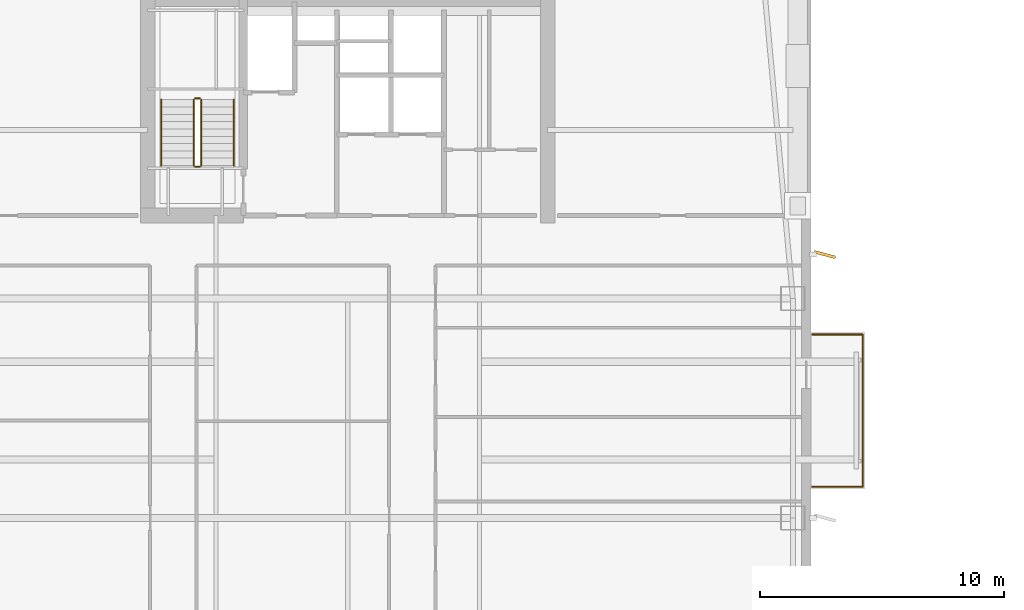
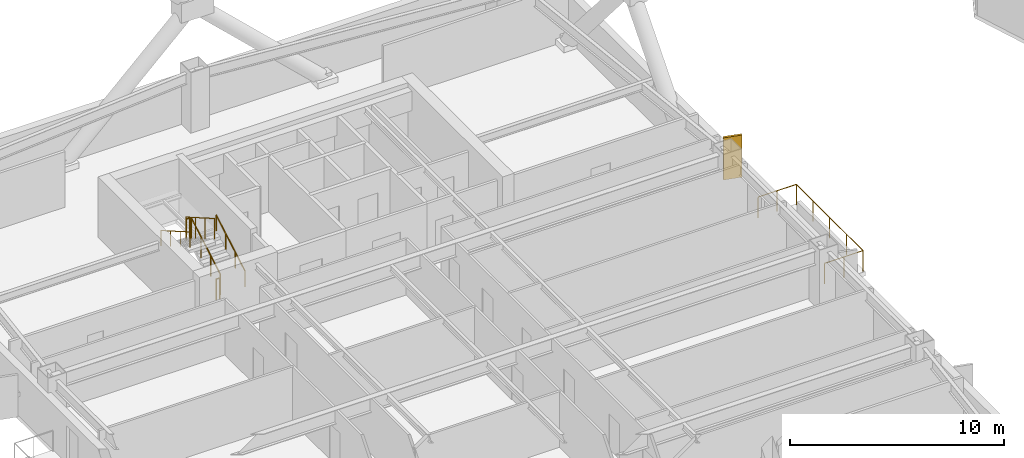
# One storey, part 22 of 24: 7 railings, 1 shading device.
"""IFC4 building model written with IfcOpenShell, lengths in metres."""

from ifc_helpers import new_model, si_unit, direction, frame, origin, origin_2d, place, context, subcontext, project, spatial, rectangle, circle, extrude, material, layer, layer_set, type_object, element, save


model = new_model("IFC4")

# Units and contexts
model_context = context("Model", 3, precision=1e-05, world=origin(), true_north=direction((0.0, 1.0)))
body_context = subcontext(model_context, "Body", "Model", "MODEL_VIEW")
ifc_project = project(units=[si_unit("LENGTHUNIT", "METRE"), si_unit("AREAUNIT", "SQUARE_METRE"), si_unit("VOLUMEUNIT", "CUBIC_METRE"), si_unit("PLANEANGLEUNIT", "RADIAN"), si_unit("MASSUNIT", "GRAM", prefix="KILO")], contexts=[model_context])

# Site, building, storey
site_placement = place(None, origin())
site = spatial("IfcSite", under=ifc_project, at=site_placement, CompositionType="ELEMENT")
building_placement = place(site_placement, origin())
building = spatial("IfcBuilding", under=site, at=building_placement, Name="Qiaolan Cultural Towers", CompositionType="ELEMENT")
storey_placement = place(building_placement, frame((0.0, 0.0, 120.75)))
storey = spatial("IfcBuildingStorey", under=building, at=storey_placement, Name="L31", CompositionType="ELEMENT", Elevation=120.75)

# Railings
ifc_material_1 = material(Name="Laminated SentryGlas & Stainless Steel S31608 Balustrade", Category="steel")
railing_type_1 = type_object("IfcRailingType", Name="GRD-TERR-1200", PredefinedType="BALUSTRADE", material=ifc_material_1)
railing_1_placement = place(storey_placement, frame((49.050048828125, 35.280029296875, 0.0)))
element("IfcRailing", 1, at=railing_1_placement, inside=storey, type_object=railing_type_1, Name="L31 T1 Tree Balcony Guardrail E", PredefinedType="BALUSTRADE", context=body_context, shape_type="SweptSolid", body=[
    extrude(circle(Radius=0.02392578125, at=origin_2d()), frame((0.0, 0.0, 1.17578125), z_axis=(1.0, 0.0, 0.0), x_axis=(0.0, 1.0, 0.0)), (0.0, 0.0, 1.0), 2.070068359375),
    extrude(circle(Radius=0.02392578125, at=origin_2d()), frame((2.070068359375, 0.0, 1.17578125), z_axis=(0.0, 1.0, 0.0), x_axis=(-1.0, 0.0, 0.0)), (0.0, 0.0, 1.0), 6.239990234375),
    extrude(circle(Radius=0.02392578125, at=origin_2d()), frame((2.070068359375, 6.239990234375, 1.17578125), z_axis=(-1.0, 0.0, 0.0), x_axis=(0.0, -1.0, 0.0)), (0.0, 0.0, 1.0), 2.070068359375),
    extrude(circle(Radius=0.02099609375, at=origin_2d()), origin(), (0.0, 0.0, 1.0), 1.15185546875),
    extrude(circle(Radius=0.02099609375, at=origin_2d()), frame((1.03515625, 0.0, 0.0)), (0.0, 0.0, 1.0), 1.15185546875),
    extrude(circle(Radius=0.02099609375, at=origin_2d()), frame((2.070068359375, 0.0, 0.0)), (0.0, 0.0, 1.0), 1.15185546875),
    extrude(circle(Radius=0.02099609375, at=origin_2d()), frame((2.070068359375, 1.56005859375, 0.0)), (0.0, 0.0, 1.0), 1.15185546875),
    extrude(circle(Radius=0.02099609375, at=origin_2d()), frame((2.070068359375, 3.1201171875, 0.0)), (0.0, 0.0, 1.0), 1.15185546875),
    extrude(circle(Radius=0.02099609375, at=origin_2d()), frame((2.070068359375, 4.679931640625, 0.0)), (0.0, 0.0, 1.0), 1.15185546875),
    extrude(circle(Radius=0.02099609375, at=origin_2d()), frame((2.070068359375, 6.239990234375, 0.0)), (0.0, 0.0, 1.0), 1.15185546875),
    extrude(circle(Radius=0.02099609375, at=origin_2d()), frame((1.03515625, 6.239990234375, 0.0)), (0.0, 0.0, 1.0), 1.15185546875),
    extrude(circle(Radius=0.02099609375, at=origin_2d()), frame((0.0, 6.239990234375, 0.0)), (0.0, 0.0, 1.0), 1.15185546875),
])
ifc_material_2 = material(Name="Galvanized Painted Steel Stair Guardrail", Category="steel")
railing_type_2 = type_object("IfcRailingType", Name="RL-STAIR-GRD", PredefinedType="GUARDRAIL", material=ifc_material_2)
railing_2_placement = place(storey_placement, frame((23.989990234375, 48.449951171875, 0.172607421875)))
element("IfcRailing", 2, at=railing_2_placement, inside=storey, type_object=railing_type_2, Name="L31 ST-W2 stair guard 1", PredefinedType="GUARDRAIL", context=body_context, shape_type="SweptSolid", body=[
    extrude(circle(Radius=0.02392578125, at=origin_2d()), frame((0.0, 0.0, 1.17578125), z_axis=(0.0, 0.866903762492, 0.498475542607), x_axis=(-1.0, 0.0, 0.0)), (0.0, 0.0, 1.0), 3.114501953125),
    extrude(circle(Radius=0.02099609375, at=origin_2d()), origin(), (0.0, 0.0, 1.0), 1.15185546875),
    extrude(circle(Radius=0.02099609375, at=origin_2d()), frame((0.0, 0.89990234375, 0.517578125)), (0.0, 0.0, 1.0), 1.15185546875),
    extrude(circle(Radius=0.02099609375, at=origin_2d()), frame((0.0, 1.800048828125, 1.034912109375)), (0.0, 0.0, 1.0), 1.15185546875),
    extrude(circle(Radius=0.02099609375, at=origin_2d()), frame((0.0, 2.699951171875, 1.552490234375)), (0.0, 0.0, 1.0), 1.15185546875),
])
railing_3_placement = place(storey_placement, frame((23.93994140625, 51.199951171875, 1.72509765625)))
element("IfcRailing", 3, at=railing_3_placement, inside=storey, type_object=railing_type_2, Name="L31 ST-W2 stair guard 2", PredefinedType="GUARDRAIL", context=body_context, shape_type="SweptSolid", body=[
    extrude(circle(Radius=0.02392578125, at=origin_2d()), frame((0.0, 0.0, 1.17578125), z_axis=(-1.0, 0.0, 0.0), x_axis=(0.0, -1.0, 0.0)), (0.0, 0.0, 1.0), 0.199951171875),
    extrude(circle(Radius=0.02099609375, at=origin_2d()), origin(), (0.0, 0.0, 1.0), 1.15185546875),
    extrude(circle(Radius=0.02099609375, at=origin_2d()), frame((-0.199951171875, 0.0, 0.0)), (0.0, 0.0, 1.0), 1.15185546875),
])
railing_4_placement = place(storey_placement, frame((23.68994140625, 51.14990234375, 1.8974609375)))
element("IfcRailing", 4, at=railing_4_placement, inside=storey, type_object=railing_type_2, Name="L31 ST-W2 stair guard 3", PredefinedType="GUARDRAIL", context=body_context, shape_type="SweptSolid", body=[
    extrude(circle(Radius=0.02392578125, at=origin_2d()), frame((0.0, 0.0, 1.17578125), z_axis=(0.0, -0.866903762492, 0.498475542607), x_axis=(1.0, 0.0, 0.0)), (0.0, 0.0, 1.0), 3.114501953125),
    extrude(circle(Radius=0.02099609375, at=origin_2d()), origin(), (0.0, 0.0, 1.0), 1.15185546875),
    extrude(circle(Radius=0.02099609375, at=origin_2d()), frame((0.0, -0.89990234375, 0.517578125)), (0.0, 0.0, 1.0), 1.15185546875),
    extrude(circle(Radius=0.02099609375, at=origin_2d()), frame((0.0, -1.800048828125, 1.034912109375)), (0.0, 0.0, 1.0), 1.15185546875),
    extrude(circle(Radius=0.02099609375, at=origin_2d()), frame((0.0, -2.699951171875, 1.552490234375)), (0.0, 0.0, 1.0), 1.15185546875),
])
railing_5_placement = place(storey_placement, frame((23.93994140625, 48.39990234375, 0.0)))
element("IfcRailing", 5, at=railing_5_placement, inside=storey, type_object=railing_type_2, Name="L31 ST-W2 stair guard 4", PredefinedType="GUARDRAIL", context=body_context, shape_type="SweptSolid", body=[
    extrude(circle(Radius=0.02392578125, at=origin_2d()), frame((0.0, 0.0, 1.17578125), z_axis=(-1.0, 0.0, 0.0), x_axis=(0.0, -1.0, 0.0)), (0.0, 0.0, 1.0), 0.199951171875),
    extrude(circle(Radius=0.02099609375, at=origin_2d()), origin(), (0.0, 0.0, 1.0), 1.15185546875),
    extrude(circle(Radius=0.02099609375, at=origin_2d()), frame((-0.199951171875, 0.0, 0.0)), (0.0, 0.0, 1.0), 1.15185546875),
])
ifc_material_3 = material(Name="Stainless Steel S30408 Tubular Handrail", Category="steel")
railing_type_3 = type_object("IfcRailingType", Name="RL-STAIR-HR", PredefinedType="HANDRAIL", material=ifc_material_3)
railing_6_placement = place(storey_placement, frame((25.330078125, 48.449951171875, 0.172607421875)))
element("IfcRailing", 6, at=railing_6_placement, inside=storey, type_object=railing_type_3, Name="L31 ST-W2 stair handrail 1", PredefinedType="HANDRAIL", context=body_context, shape_type="SweptSolid", body=[
    extrude(circle(Radius=0.02392578125, at=origin_2d()), frame((0.0, 0.0, 0.8759765625), z_axis=(0.0, 0.866903762492, 0.498475542607), x_axis=(-1.0, 0.0, 0.0)), (0.0, 0.0, 1.0), 3.114501953125),
    extrude(circle(Radius=0.02099609375, at=origin_2d()), origin(), (0.0, 0.0, 1.0), 0.851806640625),
    extrude(circle(Radius=0.02099609375, at=origin_2d()), frame((0.0, 0.89990234375, 0.517578125)), (0.0, 0.0, 1.0), 0.851806640625),
    extrude(circle(Radius=0.02099609375, at=origin_2d()), frame((0.0, 1.800048828125, 1.034912109375)), (0.0, 0.0, 1.0), 0.851806640625),
    extrude(circle(Radius=0.02099609375, at=origin_2d()), frame((0.0, 2.699951171875, 1.552490234375)), (0.0, 0.0, 1.0), 0.851806640625),
])
railing_7_placement = place(storey_placement, frame((22.35009765625, 51.14990234375, 1.8974609375)))
element("IfcRailing", 7, at=railing_7_placement, inside=storey, type_object=railing_type_3, Name="L31 ST-W2 stair handrail 2", PredefinedType="HANDRAIL", context=body_context, shape_type="SweptSolid", body=[
    extrude(circle(Radius=0.02392578125, at=origin_2d()), frame((0.0, 0.0, 0.8759765625), z_axis=(0.0, -0.866903762492, 0.498475542607), x_axis=(1.0, 0.0, 0.0)), (0.0, 0.0, 1.0), 3.114501953125),
    extrude(circle(Radius=0.02099609375, at=origin_2d()), origin(), (0.0, 0.0, 1.0), 0.851806640625),
    extrude(circle(Radius=0.02099609375, at=origin_2d()), frame((0.0, -0.89990234375, 0.517578125)), (0.0, 0.0, 1.0), 0.851806640625),
    extrude(circle(Radius=0.02099609375, at=origin_2d()), frame((0.0, -1.800048828125, 1.034912109375)), (0.0, 0.0, 1.0), 0.851806640625),
    extrude(circle(Radius=0.02099609375, at=origin_2d()), frame((0.0, -2.699951171875, 1.552490234375)), (0.0, 0.0, 1.0), 0.851806640625),
])

# Shading device
ifc_material_4 = material(Name="Pierced Warm Terracotta Acoustic Fin", Category="masonry")
ifc_layer = layer(ifc_material_4, 0.1201171875)
ifc_layer_set = layer_set([ifc_layer], Name="Pierced Warm Terracotta Acoustic Fin")
shading_device_type = type_object("IfcShadingDeviceType", Name="SHD-FIN-PIERCED", PredefinedType="USERDEFINED", material=ifc_layer_set)
shading_device_placement = place(storey_placement, frame((49.56005859375, 44.800048828125, 0.10009765625), z_axis=(0.0, 0.0, 1.0), x_axis=(0.966947591282, -0.254975206077, 0.0)))
element("IfcShadingDevice", 8, at=shading_device_placement, inside=storey, type_object=shading_device_type, Name="L31 T1 Expressive Precast Vertical Fin E3", ObjectType="FIN", PredefinedType="USERDEFINED", context=body_context, shape_type="SweptSolid", body=[
    extrude(rectangle(XDim=0.89990234375, YDim=0.1201171875, at=origin_2d()), origin(), (0.0, 0.0, 1.0), 2.409912109375),
])

save(model, "model.ifc")
